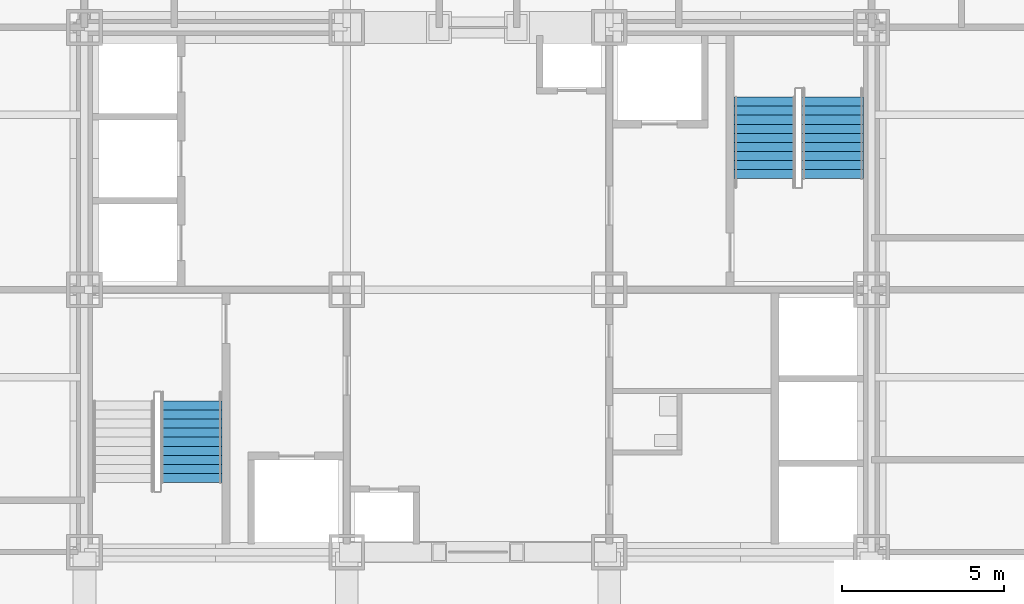
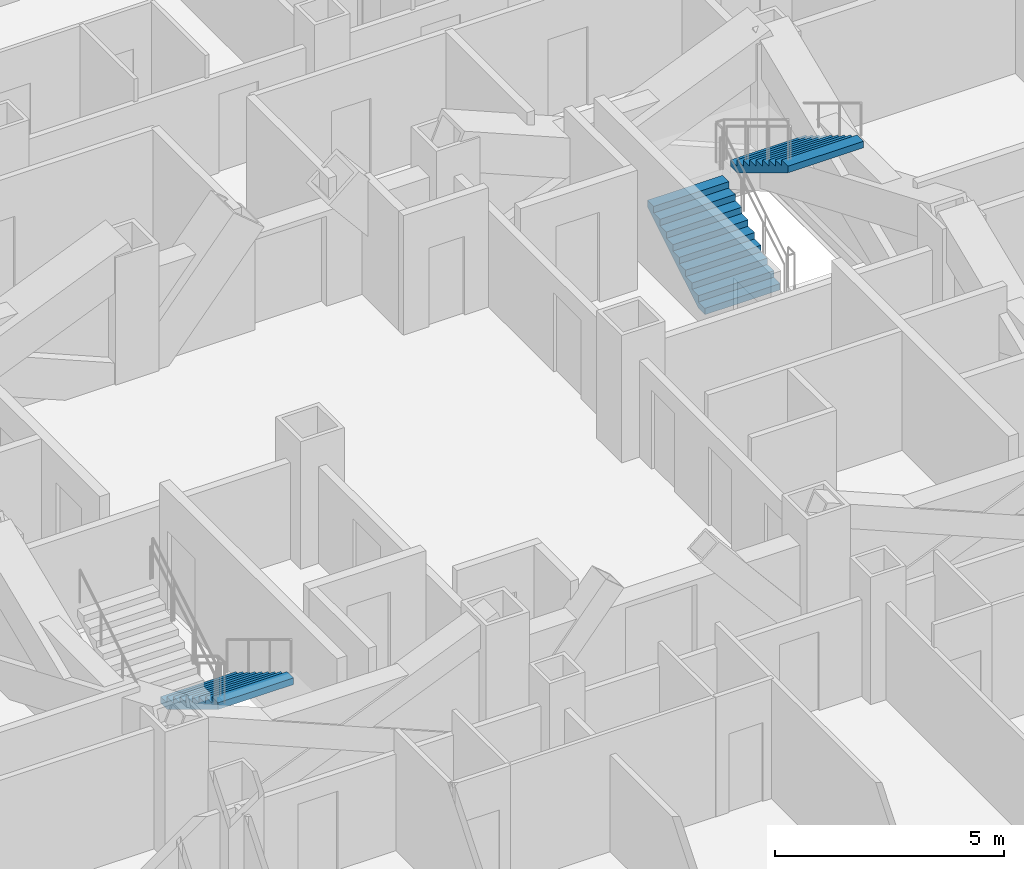
# One storey, part 12 of 14: 3 stair flights, 2 elements without a shape of their own.
"""IFC4 building model written with IfcOpenShell, lengths in metres."""

import ifcopenshell
import ifcopenshell.guid

model = None  # the IFC model being written
_history = None  # IfcOwnerHistory: only IFC2X3 demands one
_inside = {}  # id of a spatial element -> (the spatial element, [elements in it])
_under = {}  # id of a project, library or spatial element -> (it, [spatial elements below it])
_declared = {}  # id of a project -> (the project, [libraries it declares])
_typed = {}  # id of a type object -> (the type object, [elements of that type])
_made_of = {}  # id of a material, layer set ... -> (it, [elements and type objects made of it])


def new_model(schema):
    """Start an empty IFC model of exactly this schema.

    Asked for "IFC4X3", IfcOpenShell would pick the latest addendum, in which some entities
    have other attributes; the version numbers below select the first issue.
    IFC2X3 requires an IfcOwnerHistory on every rooted entity: one is made here for all.
    """
    global model, _history
    if schema == "IFC4X3":
        model = ifcopenshell.file(schema_version=(4, 3, 0, 0))
    else:
        model = ifcopenshell.file(schema=schema)
    _inside.clear()
    _under.clear()
    _declared.clear()
    _typed.clear()
    _made_of.clear()
    _history = None
    if model.schema == "IFC2X3":
        org = make("IfcOrganization", Name="unknown")
        user = make(
            "IfcPersonAndOrganization",
            ThePerson=make("IfcPerson", FamilyName="unknown"),
            TheOrganization=org,
        )
        app = make(
            "IfcApplication",
            ApplicationDeveloper=org,
            Version="unknown",
            ApplicationFullName="unknown",
            ApplicationIdentifier="unknown",
        )
        _history = make(
            "IfcOwnerHistory",
            OwningUser=user,
            OwningApplication=app,
            ChangeAction="ADDED",
            CreationDate=0,
        )
    return model


def make(cls, **values):
    """One entity of the class cls with the attributes given. An attribute that is None is left unset."""
    return model.create_entity(
        cls, **{name: value for name, value in values.items() if value is not None}
    )


def rooted(cls, **values):
    """An entity with a GlobalId (a new one), such as an element, a storey or a relation."""
    return make(cls, GlobalId=ifcopenshell.guid.new(), OwnerHistory=_history, **values)


def si_unit(unit_type, name, prefix=None):
    """IfcSIUnit, for example si_unit("LENGTHUNIT", "METRE", prefix="MILLI")."""
    return make("IfcSIUnit", UnitType=unit_type, Prefix=prefix, Name=name)


def assignment(units):
    """IfcUnitAssignment: the units of a project."""
    return None if units is None else make("IfcUnitAssignment", Units=units)


def point(xyz):
    """IfcCartesianPoint."""
    return None if xyz is None else make("IfcCartesianPoint", Coordinates=xyz)


def direction(xyz):
    """IfcDirection."""
    return None if xyz is None else make("IfcDirection", DirectionRatios=xyz)


def frame(location, z_axis=None, x_axis=None):
    """IfcAxis2Placement3D, a coordinate frame: its origin and axes. An axis left out is left unset."""
    return make(
        "IfcAxis2Placement3D",
        Location=point(location),
        Axis=direction(z_axis),
        RefDirection=direction(x_axis),
    )


def origin():
    """The frame at (0, 0, 0) with its axes left unset."""
    return frame((0.0, 0.0, 0.0))


def place(relative_to, where):
    """IfcLocalPlacement: puts the frame where relative to a parent placement (None: the world)."""
    return make(
        "IfcLocalPlacement", PlacementRelTo=relative_to, RelativePlacement=where
    )


def context(
    kind, dimensions, precision=None, world=None, true_north=None, identifier=None
):
    """IfcGeometricRepresentationContext, for example the 3D "Model" context."""
    return make(
        "IfcGeometricRepresentationContext",
        ContextIdentifier=identifier,
        ContextType=kind,
        CoordinateSpaceDimension=dimensions,
        Precision=precision,
        WorldCoordinateSystem=world,
        TrueNorth=true_north,
    )


def subcontext(parent, identifier, kind, view, scale=None):
    """IfcGeometricRepresentationSubContext, for example "Body" below "Model"."""
    return make(
        "IfcGeometricRepresentationSubContext",
        ContextIdentifier=identifier,
        ContextType=kind,
        ParentContext=parent,
        TargetScale=scale,
        TargetView=view,
    )


def project(units=None, contexts=None):
    """IfcProject with its units and contexts."""
    return rooted(
        "IfcProject",
        Name="project",
        RepresentationContexts=contexts,
        UnitsInContext=assignment(units),
    )


def spatial(cls, under=None, at=None, **own):
    """A site, building, storey or space (cls), placed at a placement, below another one or the project."""
    s = rooted(cls, ObjectPlacement=at, **own)
    if under is not None:
        _under.setdefault(under.id(), (under, []))[1].append(s)
    return s


def point_list(points):
    """IfcCartesianPointList2D or 3D."""
    cls = (
        "IfcCartesianPointList2D" if len(points[0]) == 2 else "IfcCartesianPointList3D"
    )
    return make(cls, CoordList=points)


def polygons(points, faces, closed=None, point_numbers=None):
    """IfcPolygonalFaceSet: a face is its outer loop, then its inner loops; points numbered from 1."""
    made = []
    for loops in faces:
        if len(loops) == 1:
            made.append(make("IfcIndexedPolygonalFace", CoordIndex=loops[0]))
        else:
            made.append(
                make(
                    "IfcIndexedPolygonalFaceWithVoids",
                    CoordIndex=loops[0],
                    InnerCoordIndices=loops[1:],
                )
            )
    return make(
        "IfcPolygonalFaceSet",
        Coordinates=point_list(points),
        Closed=closed,
        Faces=made,
        PnIndex=point_numbers,
    )


def shape(context_of_items, identifier, shape_type, items):
    """IfcShapeRepresentation: the items that make up one representation, for example the "Body"."""
    return make(
        "IfcShapeRepresentation",
        ContextOfItems=context_of_items,
        RepresentationIdentifier=identifier,
        RepresentationType=shape_type,
        Items=items,
    )


def source(mapping_origin, context_of_items, identifier, shape_type, items):
    """IfcRepresentationMap: a shape defined once, which mapped items show again and again."""
    return make(
        "IfcRepresentationMap",
        MappingOrigin=mapping_origin,
        MappedRepresentation=shape(context_of_items, identifier, shape_type, items),
    )


def transform(
    local_origin,
    x_axis=None,
    y_axis=None,
    z_axis=None,
    scale=None,
    scale2=None,
    scale3=None,
    uniform=True,
):
    """IfcCartesianTransformationOperator3D, or its non-uniform kind. x_axis, y_axis, z_axis: its Axis1, 2, 3."""
    if uniform:
        return make(
            "IfcCartesianTransformationOperator3D",
            Axis1=direction(x_axis),
            Axis2=direction(y_axis),
            LocalOrigin=point(local_origin),
            Scale=scale,
            Axis3=direction(z_axis),
        )
    return make(
        "IfcCartesianTransformationOperator3DnonUniform",
        Axis1=direction(x_axis),
        Axis2=direction(y_axis),
        LocalOrigin=point(local_origin),
        Scale=scale,
        Axis3=direction(z_axis),
        Scale2=scale2,
        Scale3=scale3,
    )


def mapped(mapping_source, mapping_target):
    """IfcMappedItem: shows the shape of a source again, moved by a transform."""
    return make(
        "IfcMappedItem", MappingSource=mapping_source, MappingTarget=mapping_target
    )


def material(Name=None, Category=None):
    """IfcMaterial."""
    return make("IfcMaterial", Name=Name, Category=Category)


def made_of(thing, what):
    """Note that an element or type object is made of a material, layer set ...; save() writes the relation."""
    if what is not None:
        _made_of.setdefault(what.id(), (what, []))[1].append(thing)
    return thing


def type_object(cls, material=None, **own):
    """A type object (cls), such as IfcWallType, which elements share."""
    return made_of(rooted(cls, **own), material)


def element(
    cls,
    number,
    at=None,
    inside=None,
    cuts=None,
    type_object=None,
    material=None,
    context=None,
    identifier="Body",
    shape_type=None,
    held_by="IfcProductDefinitionShape",
    body=None,
    shapes=None,
    **own,
):
    """One element of the class cls, such as IfcWall. Its Tag is "e" and its number.

    at: its placement. inside: the storey or other place that contains it. cuts: it is an
    opening in that element (IfcRelVoidsElement). A single representation is given by context,
    identifier, shape_type and body (its items); several are given by shapes. held_by: the class
    of the entity that holds the representations. save() writes the other relations.
    """
    e = rooted(cls, Tag="e%d" % number, ObjectPlacement=at, **own)
    if body is not None:
        shapes = [shape(context, identifier, shape_type, body)]
    if shapes is not None:
        e.Representation = make(held_by, Representations=shapes)
    if inside is not None:
        _inside.setdefault(inside.id(), (inside, []))[1].append(e)
    if cuts is not None:
        rooted(
            "IfcRelVoidsElement", RelatingBuildingElement=cuts, RelatedOpeningElement=e
        )
    if type_object is not None:
        _typed.setdefault(type_object.id(), (type_object, []))[1].append(e)
    return made_of(e, material)


def aggregate(whole, parts):
    """IfcRelAggregates: a whole, such as a stair, and the parts it consists of."""
    return rooted("IfcRelAggregates", RelatingObject=whole, RelatedObjects=parts)


def save(model, path):
    """Write the relations noted so far, then the file.

    IfcRelAggregates (storeys below a building ...), IfcRelContainedInSpatialStructure (elements
    in a storey), IfcRelDefinesByType, IfcRelAssociatesMaterial and IfcRelDeclares: one each for
    every whole, place, type object, material and project.
    """
    for whole, parts in _under.values():
        aggregate(whole, parts)
    for where, things in _inside.values():
        rooted(
            "IfcRelContainedInSpatialStructure",
            RelatedElements=things,
            RelatingStructure=where,
        )
    for kind, things in _typed.values():
        rooted("IfcRelDefinesByType", RelatedObjects=things, RelatingType=kind)
    for what, things in _made_of.values():
        rooted("IfcRelAssociatesMaterial", RelatedObjects=things, RelatingMaterial=what)
    for by, libraries in _declared.values():
        rooted("IfcRelDeclares", RelatingContext=by, RelatedDefinitions=libraries)
    model.write(path)


model = new_model("IFC4")

# Units and contexts
model_context = context("Model", 3, precision=1e-05, world=origin(), true_north=direction((0.0, 1.0)))
body_context = subcontext(model_context, "Body", "Model", "MODEL_VIEW")
ifc_project = project(units=[si_unit("LENGTHUNIT", "METRE"), si_unit("AREAUNIT", "SQUARE_METRE"), si_unit("VOLUMEUNIT", "CUBIC_METRE"), si_unit("PLANEANGLEUNIT", "RADIAN"), si_unit("MASSUNIT", "GRAM", prefix="KILO")], contexts=[model_context])

# Site, building, storey
site_placement = place(None, origin())
site = spatial("IfcSite", under=ifc_project, at=site_placement, CompositionType="ELEMENT")
building_placement = place(site_placement, origin())
building = spatial("IfcBuilding", under=site, at=building_placement, Name="Kopane Lantern Tower", CompositionType="ELEMENT")
storey_placement = place(building_placement, frame((0.0, 0.0, 123.800048828125)))
storey = spatial("IfcBuildingStorey", under=building, at=storey_placement, Name="L31", CompositionType="ELEMENT", Elevation=123.800048828125)

# Stair, stair flight
ifc_material_1 = material(Name="Steel S355JR", Category="steel")
stair_type = type_object("IfcStairType", Name="EXIT STAIR 1900 HALF TURN", PredefinedType="HALF_TURN_STAIR", material=ifc_material_1)
stair_1_placement = place(storey_placement, origin())
stair_1 = element("IfcStair", 1, at=stair_1_placement, inside=storey, type_object=stair_type, Name="Exit stair ST1 L31", PredefinedType="HALF_TURN_STAIR")
ifc_material_2 = material(Name="Steel S355JR", Category="steel")
stair_flight_type = type_object("IfcStairFlightType", Name="STAIR FLIGHT 1900 STEEL", PredefinedType="STRAIGHT", material=ifc_material_2)
shared_shape = source(origin(), body_context, "Body", "Tessellation", [
    polygons([(2.520019531, 0.949951172, 1.530029297), (2.239990234, 0.949951172, 1.530029297), (2.239990234, -0.949951172, 1.530029297), (2.520019531, -0.949951172, 1.530029297), (0.288818359, 0.949951172, 0.0), (2.520019531, 0.949951172, 1.354736328), (2.520019531, -0.949951172, 1.354736328), (0.288818359, -0.949951172, 0.0), (0.0, 0.949951172, 0.0), (0.0, -0.949951172, 0.0), (0.280029297, 0.949951172, 0.169921875), (0.0, 0.949951172, 0.169921875), (0.0, -0.949951172, 0.169921875), (0.280029297, -0.949951172, 0.169921875), (0.280029297, 0.949951172, 0.340087891), (0.280029297, -0.949951172, 0.340087891), (0.560058594, 0.949951172, 0.340087891), (0.560058594, -0.949951172, 0.340087891), (0.560058594, 0.949951172, 0.510009766), (0.560058594, -0.949951172, 0.510009766), (0.840087891, 0.949951172, 0.510009766), (0.840087891, -0.949951172, 0.510009766), (0.840087891, 0.949951172, 0.679931641), (0.840087891, -0.949951172, 0.679931641), (1.120117188, 0.949951172, 0.679931641), (1.120117188, -0.949951172, 0.679931641), (1.120117188, 0.949951172, 0.850097656), (1.120117188, -0.949951172, 0.850097656), (1.399902344, 0.949951172, 0.850097656), (1.399902344, -0.949951172, 0.850097656), (1.399902344, 0.949951172, 1.020019531), (1.399902344, -0.949951172, 1.020019531), (1.679931641, 0.949951172, 1.020019531), (1.679931641, -0.949951172, 1.020019531), (1.679931641, 0.949951172, 1.189941406), (1.679931641, -0.949951172, 1.189941406), (1.959960938, 0.949951172, 1.189941406), (1.959960938, -0.949951172, 1.189941406), (1.959960938, 0.949951172, 1.360107422), (1.959960938, -0.949951172, 1.360107422), (2.239990234, 0.949951172, 1.360107422), (2.239990234, -0.949951172, 1.360107422), (0.0, 0.0, 0.004592483), (0.0, 0.0, 0.009184966), (0.0, 0.0, 0.013777449), (0.0, 0.0, 0.018369932), (0.0, 0.0, 0.022962416), (0.0, 0.0, 0.027554899), (0.0, 0.0, 0.032147382), (0.0, 0.0, 0.036739865), (0.0, 0.0, 0.041332348), (0.0, 0.0, 0.045924831), (0.0, 0.0, 0.050517314), (0.0, 0.0, 0.055109797), (0.0, 0.0, 0.05970228), (0.0, 0.0, 0.064294764), (0.0, 0.0, 0.068887247), (0.0, 0.0, 0.07347973), (0.0, 0.0, 0.078072213), (0.0, 0.0, 0.082664696), (0.0, 0.0, 0.087257179), (0.0, 0.0, 0.091849662), (0.0, 0.0, 0.096442145), (0.0, 0.0, 0.101034628), (0.0, 0.0, 0.105627111), (0.0, 0.0, 0.110219595), (0.0, 0.0, 0.114812078), (0.0, 0.0, 0.119404561), (0.0, 0.0, 0.123997044), (0.0, 0.0, 0.128589527), (0.0, 0.0, 0.13318201), (0.0, 0.0, 0.137774493), (0.0, 0.0, 0.142366976), (0.0, 0.0, 0.146959459), (0.0, 0.0, 0.151551943), (0.0, 0.0, 0.156144426), (0.0, 0.0, 0.160736909), (0.0, 0.0, 0.165329392), (2.520019531, 0.0, 1.359473976), (2.520019531, 0.0, 1.364211624), (2.520019531, 0.0, 1.368949272), (2.520019531, 0.0, 1.373686919), (2.520019531, 0.0, 1.378424567), (2.520019531, 0.0, 1.383162215), (2.520019531, 0.0, 1.387899863), (2.520019531, 0.0, 1.392637511), (2.520019531, 0.0, 1.397375158), (2.520019531, 0.0, 1.402112806), (2.520019531, 0.0, 1.406850454), (2.520019531, 0.0, 1.411588102), (2.520019531, 0.0, 1.41632575), (2.520019531, 0.0, 1.421063397), (2.520019531, 0.0, 1.425801045), (2.520019531, 0.0, 1.430538693), (2.520019531, 0.0, 1.435276341), (2.520019531, 0.0, 1.440013989), (2.520019531, 0.0, 1.444751636), (2.520019531, 0.0, 1.449489284), (2.520019531, 0.0, 1.454226932), (2.520019531, 0.0, 1.45896458), (2.520019531, 0.0, 1.463702228), (2.520019531, 0.0, 1.468439875), (2.520019531, 0.0, 1.473177523), (2.520019531, 0.0, 1.477915171), (2.520019531, 0.0, 1.482652819), (2.520019531, 0.0, 1.487390467), (2.520019531, 0.0, 1.492128114), (2.520019531, 0.0, 1.496865762), (2.520019531, 0.0, 1.50160341), (2.520019531, 0.0, 1.506341058), (2.520019531, 0.0, 1.511078706), (2.520019531, 0.0, 1.515816353), (2.520019531, 0.0, 1.520554001), (2.520019531, 0.0, 1.525291649)], [[[1, 2, 3]], [[1, 3, 4]], [[5, 6, 7]], [[5, 7, 8]], [[9, 5, 8]], [[9, 8, 10]], [[11, 12, 13]], [[11, 13, 14]], [[15, 11, 14]], [[15, 14, 16]], [[17, 15, 16]], [[17, 16, 18]], [[19, 17, 18]], [[19, 18, 20]], [[21, 19, 20]], [[21, 20, 22]], [[23, 21, 22]], [[23, 22, 24]], [[25, 23, 24]], [[25, 24, 26]], [[27, 25, 26]], [[27, 26, 28]], [[29, 27, 28]], [[29, 28, 30]], [[31, 29, 30]], [[31, 30, 32]], [[33, 31, 32]], [[33, 32, 34]], [[35, 33, 34]], [[35, 34, 36]], [[37, 35, 36]], [[37, 36, 38]], [[39, 37, 38]], [[39, 38, 40]], [[41, 39, 40]], [[41, 40, 42]], [[2, 41, 42]], [[2, 42, 3]], [[41, 1, 6]], [[37, 41, 6]], [[2, 1, 41]], [[33, 37, 6]], [[39, 41, 37]], [[35, 37, 33]], [[31, 33, 29]], [[5, 21, 25]], [[27, 29, 25]], [[17, 21, 5]], [[23, 25, 21]], [[11, 17, 5]], [[19, 21, 17]], [[9, 11, 5]], [[15, 17, 11]], [[12, 11, 9]], [[6, 5, 25]], [[6, 25, 29]], [[6, 29, 33]], [[7, 4, 42]], [[7, 42, 38]], [[42, 4, 3]], [[7, 38, 34]], [[38, 42, 40]], [[34, 38, 36]], [[30, 34, 32]], [[26, 22, 8]], [[26, 30, 28]], [[8, 22, 18]], [[22, 26, 24]], [[8, 18, 14]], [[18, 22, 20]], [[8, 14, 10]], [[14, 18, 16]], [[10, 14, 13]], [[26, 8, 7]], [[30, 26, 7]], [[34, 30, 7]], [[10, 43, 9]], [[10, 44, 43]], [[9, 43, 44]], [[10, 45, 44]], [[9, 44, 45]], [[10, 46, 45]], [[9, 45, 46]], [[10, 47, 46]], [[9, 46, 47]], [[10, 48, 47]], [[9, 47, 48]], [[10, 49, 48]], [[9, 48, 49]], [[10, 50, 49]], [[9, 49, 50]], [[10, 51, 50]], [[9, 50, 51]], [[10, 52, 51]], [[9, 51, 52]], [[10, 53, 52]], [[9, 52, 53]], [[10, 54, 53]], [[9, 53, 54]], [[10, 55, 54]], [[9, 54, 55]], [[10, 56, 55]], [[9, 55, 56]], [[10, 57, 56]], [[9, 56, 57]], [[10, 58, 57]], [[9, 57, 58]], [[10, 59, 58]], [[9, 58, 59]], [[10, 60, 59]], [[9, 59, 60]], [[10, 61, 60]], [[9, 60, 61]], [[10, 62, 61]], [[9, 61, 62]], [[10, 63, 62]], [[9, 62, 63]], [[10, 64, 63]], [[9, 63, 64]], [[10, 65, 64]], [[9, 64, 65]], [[10, 66, 65]], [[9, 65, 66]], [[10, 67, 66]], [[9, 66, 67]], [[10, 68, 67]], [[9, 67, 68]], [[10, 69, 68]], [[9, 68, 69]], [[10, 70, 69]], [[9, 69, 70]], [[10, 71, 70]], [[9, 70, 71]], [[10, 72, 71]], [[9, 71, 72]], [[10, 73, 72]], [[9, 72, 73]], [[10, 74, 73]], [[9, 73, 74]], [[10, 75, 74]], [[9, 74, 75]], [[10, 76, 75]], [[9, 75, 76]], [[10, 77, 76]], [[9, 76, 77]], [[10, 78, 77]], [[9, 77, 78]], [[10, 13, 78]], [[78, 13, 12]], [[9, 78, 12]], [[7, 6, 79]], [[7, 79, 80]], [[6, 80, 79]], [[7, 80, 81]], [[6, 81, 80]], [[7, 81, 82]], [[6, 82, 81]], [[7, 82, 83]], [[6, 83, 82]], [[7, 83, 84]], [[6, 84, 83]], [[7, 84, 85]], [[6, 85, 84]], [[7, 85, 86]], [[6, 86, 85]], [[7, 86, 87]], [[6, 87, 86]], [[7, 87, 88]], [[6, 88, 87]], [[7, 88, 89]], [[6, 89, 88]], [[7, 89, 90]], [[6, 90, 89]], [[7, 90, 91]], [[6, 91, 90]], [[7, 91, 92]], [[6, 92, 91]], [[7, 92, 93]], [[6, 93, 92]], [[7, 93, 94]], [[6, 94, 93]], [[7, 94, 95]], [[6, 95, 94]], [[7, 95, 96]], [[6, 96, 95]], [[7, 96, 97]], [[6, 97, 96]], [[7, 97, 98]], [[6, 98, 97]], [[7, 98, 99]], [[6, 99, 98]], [[7, 99, 100]], [[6, 100, 99]], [[7, 100, 101]], [[6, 101, 100]], [[7, 101, 102]], [[6, 102, 101]], [[7, 102, 103]], [[6, 103, 102]], [[7, 103, 104]], [[6, 104, 103]], [[7, 104, 105]], [[6, 105, 104]], [[7, 105, 106]], [[6, 106, 105]], [[7, 106, 107]], [[6, 107, 106]], [[7, 107, 108]], [[6, 108, 107]], [[7, 108, 109]], [[6, 109, 108]], [[7, 109, 110]], [[6, 110, 109]], [[7, 110, 111]], [[6, 111, 110]], [[7, 111, 112]], [[6, 112, 111]], [[7, 112, 113]], [[6, 113, 112]], [[7, 113, 114]], [[6, 114, 113]], [[7, 114, 4]], [[114, 1, 4]], [[6, 1, 114]]], closed=True),
])
stair_flight_1_placement = place(storey_placement, frame((19.5, 28.969970703125, 0.0), z_axis=(0.0, 0.0, 1.0), x_axis=(0.0, -1.0, 0.0)))
stair_flight_1 = element("IfcStairFlight", 2, at=stair_flight_1_placement, type_object=stair_flight_type, Name="ST1 flight 1", NumberOfRisers=10, NumberOfTreads=9, PredefinedType="STRAIGHT", RiserHeight=0.17, TreadLength=0.28, context=body_context, shape_type="MappedRepresentation", body=[
    mapped(shared_shape, transform((0.0, 0.0, 0.0))),
])
aggregate(stair_1, [stair_flight_1])

# Stair, stair flights
stair_2_placement = place(storey_placement, origin())
stair_2 = element("IfcStair", 3, at=stair_2_placement, inside=storey, type_object=stair_type, Name="Exit stair ST2 L31", PredefinedType="HALF_TURN_STAIR")
stair_flight_2_placement = place(storey_placement, frame((37.199951171875, 35.830078125, 0.0), z_axis=(0.0, 0.0, 1.0), x_axis=(0.0, 1.0, 0.0)))
stair_flight_2 = element("IfcStairFlight", 4, at=stair_flight_2_placement, type_object=stair_flight_type, Name="ST2 flight 1", NumberOfRisers=10, NumberOfTreads=9, PredefinedType="STRAIGHT", RiserHeight=0.17, TreadLength=0.28, context=body_context, shape_type="MappedRepresentation", body=[
    mapped(shared_shape, transform((0.0, 0.0, 0.0))),
])
stair_flight_3_placement = place(storey_placement, frame((39.300048828125, 38.35009765625, 1.699951171875), z_axis=(0.0, 0.0, 1.0), x_axis=(0.0, -1.0, 0.0)))
stair_flight_3 = element("IfcStairFlight", 5, at=stair_flight_3_placement, type_object=stair_flight_type, Name="ST2 flight 2", NumberOfRisers=10, NumberOfTreads=9, PredefinedType="STRAIGHT", RiserHeight=0.17, TreadLength=0.28, context=body_context, shape_type="MappedRepresentation", body=[
    mapped(shared_shape, transform((0.0, 0.0, 0.0))),
])
aggregate(stair_2, [stair_flight_2, stair_flight_3])

save(model, "model.ifc")
